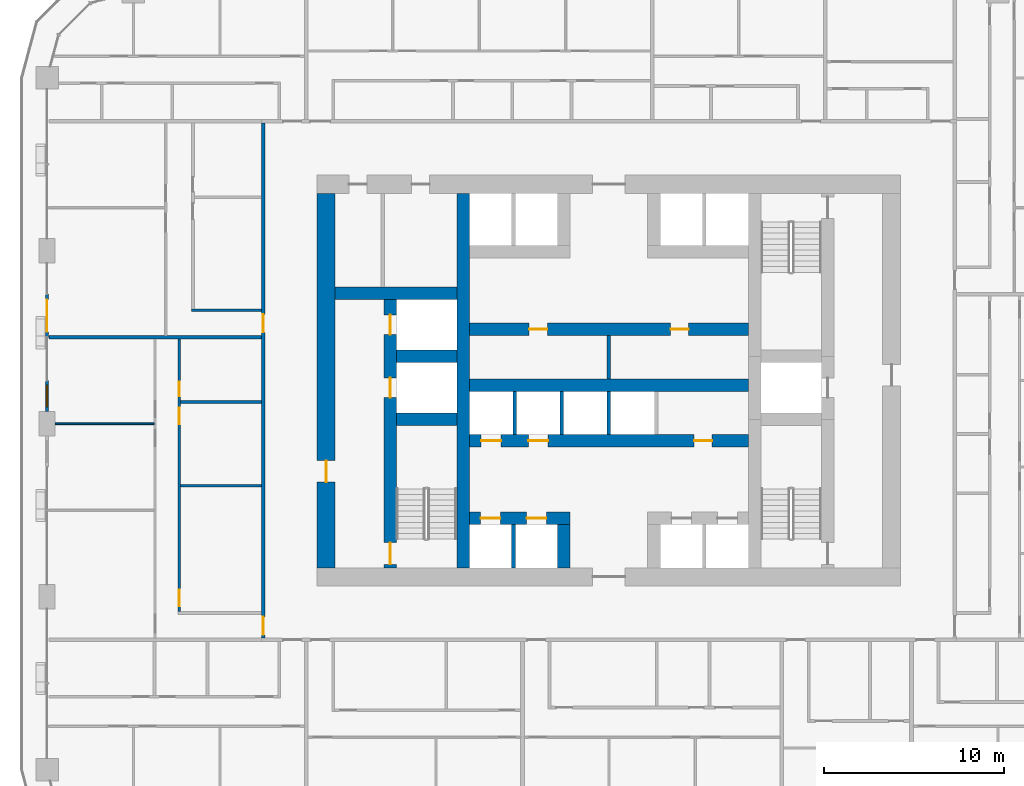
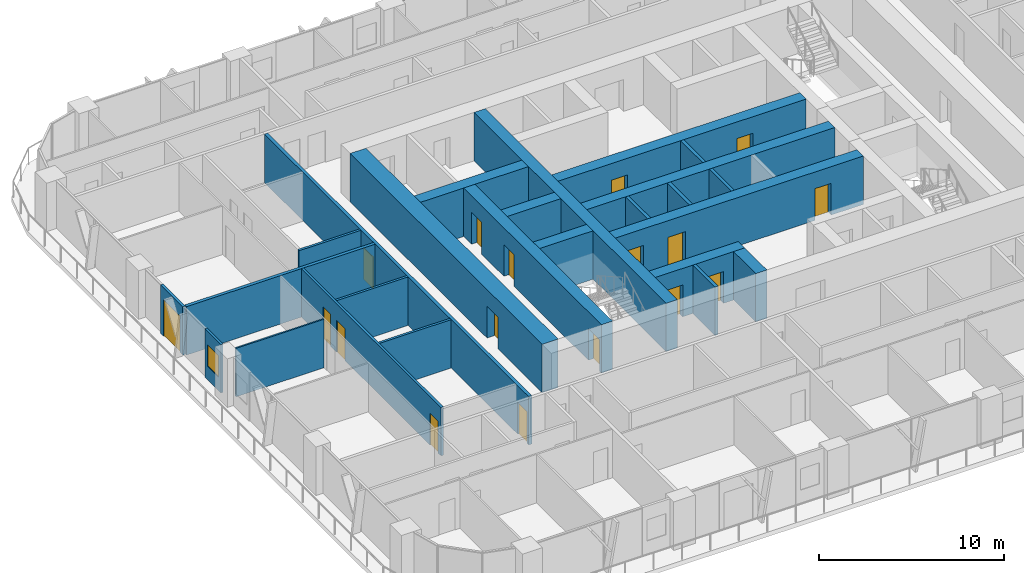
# One storey, part 10 of 21: 25 walls, 17 doors, 1 window, 18 openings.
"""IFC4 building model written with IfcOpenShell, lengths in metres."""

from ifc_helpers import new_model, si_unit, direction, frame, frame_2d, origin, place, context, subcontext, project, spatial, rectangle, extrude, material, layer, layer_set, type_object, element, fill, save


model = new_model("IFC4")

# Units and contexts
model_context = context("Model", 3, precision=1e-05, world=origin(), true_north=direction((0.0, 1.0)))
body_context = subcontext(model_context, "Body", "Model", "MODEL_VIEW")
ifc_project = project(units=[si_unit("LENGTHUNIT", "METRE"), si_unit("AREAUNIT", "SQUARE_METRE"), si_unit("VOLUMEUNIT", "CUBIC_METRE"), si_unit("PLANEANGLEUNIT", "RADIAN"), si_unit("MASSUNIT", "GRAM", prefix="KILO")], contexts=[model_context])

# Site, building, storey
site_placement = place(None, origin())
site = spatial("IfcSite", under=ifc_project, at=site_placement, CompositionType="ELEMENT")
building_placement = place(site_placement, origin())
building = spatial("IfcBuilding", under=site, at=building_placement, Name="Madar Terraces", CompositionType="ELEMENT")
storey_placement = place(building_placement, frame((0.0, 0.0, 29.39990234375)))
storey = spatial("IfcBuildingStorey", under=building, at=storey_placement, Name="L06", CompositionType="ELEMENT", Elevation=29.39990234375)

# Wall, openings, doors
ifc_material_1 = material(Name="Concrete C80/95", Category="concrete")
ifc_layer_1 = layer(ifc_material_1, 0.699951171875)
ifc_layer_set_1 = layer_set([ifc_layer_1], Name="Concrete C80/95 (CIW1 RC wall 700)")
wall_type_1 = type_object("IfcWallType", Name="CIW1 RC wall 700", PredefinedType="SHEAR", material=ifc_layer_set_1)
wall_1_placement = place(storey_placement, frame((19.050048828125, 16.0, 0.0), z_axis=(0.0, 0.0, 1.0), x_axis=(0.0, 1.0, 0.0)))
wall_1 = element("IfcWall", 1, at=wall_1_placement, inside=storey, type_object=wall_type_1, Name="CORE SHAFT WALL", PredefinedType="SHEAR", context=body_context, shape_type="SweptSolid", body=[
    extrude(rectangle(XDim=14.89990234375, YDim=0.699951171875, at=frame_2d((7.449951171875, 0.0))), origin(), (0.0, 0.0, 1.0), 3.2001953125),
])
opening_1_placement = place(wall_1_placement, frame((9.449951171875, 0.0, 0.0)))
opening_1 = element("IfcOpeningElement", 2, at=opening_1_placement, cuts=wall_1, Name="Opening LD", PredefinedType="OPENING", context=body_context, shape_type="SweptSolid", body=[
    extrude(rectangle(XDim=1.10009765625, YDim=2.10009765625, at=frame_2d((0.550048828125, 1.050048828125))), frame((0.0, 0.35986328125, 0.0), z_axis=(0.0, -1.0, 0.0), x_axis=(1.0, 0.0, 0.0)), (0.0, 0.0, 1.0), 0.719970703125),
])
opening_2_placement = place(wall_1_placement, frame((12.949951171875, 0.0, 0.0)))
opening_2 = element("IfcOpeningElement", 3, at=opening_2_placement, cuts=wall_1, Name="Opening LD", PredefinedType="OPENING", context=body_context, shape_type="SweptSolid", body=[
    extrude(rectangle(XDim=1.10009765625, YDim=2.10009765625, at=frame_2d((0.550048828125, 1.050048828125))), frame((0.0, 0.35986328125, 0.0), z_axis=(0.0, -1.0, 0.0), x_axis=(1.0, 0.0, 0.0)), (0.0, 0.0, 1.0), 0.719970703125),
])
opening_3_placement = place(wall_1_placement, frame((0.199951171875, 0.0, 0.0)))
opening_3 = element("IfcOpeningElement", 4, at=opening_3_placement, cuts=wall_1, Name="Opening SD1", PredefinedType="OPENING", context=body_context, shape_type="SweptSolid", body=[
    extrude(rectangle(XDim=1.199951171875, YDim=2.10009765625, at=frame_2d((0.60009765625, 1.050048828125))), frame((0.0, 0.35986328125, 0.0), z_axis=(0.0, -1.0, 0.0), x_axis=(1.0, 0.0, 0.0)), (0.0, 0.0, 1.0), 0.719970703125),
])
ifc_material_2 = material(Name="Stainless steel panel", Category="steel")
door_type_1 = type_object("IfcDoorType", Name="Lift landing door 1100 x 2100", OperationType="DOUBLE_DOOR_SLIDING", PredefinedType="DOOR", material=ifc_material_2)
door_1_placement = place(opening_1_placement, origin())
door_1 = element("IfcDoor", 5, at=door_1_placement, inside=storey, type_object=door_type_1, Name="LIFT LANDING DOOR", OperationType="DOUBLE_DOOR_SLIDING", OverallHeight=2.10009765625, OverallWidth=1.10009765625, PredefinedType="DOOR", context=body_context, shape_type="SweptSolid", body=[
    extrude(rectangle(XDim=1.10009765625, YDim=2.10009765625, at=frame_2d((0.550048828125, 1.050048828125))), frame((0.0, 0.02490234375, 0.0), z_axis=(0.0, -1.0, 0.0), x_axis=(1.0, 0.0, 0.0)), (0.0, 0.0, 1.0), 0.050048828125),
])
fill(opening_1, door_1)
door_2_placement = place(opening_2_placement, origin())
door_2 = element("IfcDoor", 6, at=door_2_placement, inside=storey, type_object=door_type_1, Name="LIFT LANDING DOOR", OperationType="DOUBLE_DOOR_SLIDING", OverallHeight=2.10009765625, OverallWidth=1.10009765625, PredefinedType="DOOR", context=body_context, shape_type="SweptSolid", body=[
    extrude(rectangle(XDim=1.10009765625, YDim=2.10009765625, at=frame_2d((0.550048828125, 1.050048828125))), frame((0.0, 0.02490234375, 0.0), z_axis=(0.0, -1.0, 0.0), x_axis=(1.0, 0.0, 0.0)), (0.0, 0.0, 1.0), 0.050048828125),
])
fill(opening_2, door_2)
ifc_material_3 = material(Name="Steel door leaf", Category="steel")
door_type_2 = type_object("IfcDoorType", Name="Stair door 1200 x 2100", OperationType="NOTDEFINED", PredefinedType="DOOR", material=ifc_material_3)
door_3_placement = place(opening_3_placement, frame((1.199951171875, 0.0, 0.0), z_axis=(0.0, 0.0, 1.0), x_axis=(-1.0, 0.0, 0.0)))
door_3 = element("IfcDoor", 7, at=door_3_placement, inside=storey, type_object=door_type_2, Name="STAIR DOOR", OperationType="SINGLE_SWING_RIGHT", OverallHeight=2.10009765625, OverallWidth=1.199951171875, PredefinedType="DOOR", context=body_context, shape_type="SweptSolid", body=[
    extrude(rectangle(XDim=1.199951171875, YDim=2.10009765625, at=frame_2d((0.60009765625, 1.050048828125))), frame((0.0, 0.02490234375, 0.0), z_axis=(0.0, -1.0, 0.0), x_axis=(1.0, 0.0, 0.0)), (0.0, 0.0, 1.0), 0.050048828125),
])
fill(opening_3, door_3)

# Walls
wall_2_placement = place(storey_placement, frame((23.10009765625, 16.0, 0.0), z_axis=(0.0, 0.0, 1.0), x_axis=(0.0, 1.0, 0.0)))
element("IfcWall", 8, at=wall_2_placement, inside=storey, type_object=wall_type_1, Name="CORE SHAFT WALL", PredefinedType="SHEAR", context=body_context, shape_type="SweptSolid", body=[
    extrude(rectangle(XDim=20.800048828125, YDim=0.699951171875, at=frame_2d((10.39990234375, 0.0))), origin(), (0.0, 0.0, 1.0), 3.2001953125),
])
for number, where, z_axis, x_axis, name in (
    (9, (19.39990234375, 24.25, 0.0), (0.0, 0.0, 1.0), (1.0, 0.0, 0.0), "CORE SHAFT WALL"),
    (10, (19.39990234375, 27.75, 0.0), (0.0, 0.0, 1.0), (1.0, 0.0, 0.0), "CORE SHAFT WALL"),
):
    element("IfcWall", number, at=place(storey_placement, frame(where, z_axis=z_axis, x_axis=x_axis)), inside=storey, type_object=wall_type_1, Name=name, PredefinedType="SHEAR", context=body_context, shape_type="SweptSolid", body=[
        extrude(rectangle(XDim=3.35009765625, YDim=0.699951171875, at=frame_2d((1.675048828125, 0.0))), origin(), (0.0, 0.0, 1.0), 3.2001953125),
    ])
wall_3_placement = place(storey_placement, frame((16.0, 31.25, 0.0), z_axis=(0.0, 0.0, 1.0), x_axis=(1.0, 0.0, 0.0)))
element("IfcWall", 11, at=wall_3_placement, inside=storey, type_object=wall_type_1, Name="CORE SHAFT WALL", PredefinedType="SHEAR", context=body_context, shape_type="SweptSolid", body=[
    extrude(rectangle(XDim=6.75, YDim=0.699951171875, at=frame_2d((3.375, 0.0))), origin(), (0.0, 0.0, 1.0), 3.2001953125),
])

# Wall, openings, doors
wall_4_placement = place(storey_placement, frame((23.449951171875, 18.75, 0.0), z_axis=(0.0, 0.0, 1.0), x_axis=(1.0, 0.0, 0.0)))
wall_4 = element("IfcWall", 12, at=wall_4_placement, inside=storey, type_object=wall_type_1, Name="CORE SHAFT WALL", PredefinedType="SHEAR", context=body_context, shape_type="SweptSolid", body=[
    extrude(rectangle(XDim=5.60009765625, YDim=0.699951171875, at=frame_2d((2.800048828125, 0.0))), origin(), (0.0, 0.0, 1.0), 3.2001953125),
])
opening_4_placement = place(wall_4_placement, frame((0.625, 0.0, 0.0)))
opening_4 = element("IfcOpeningElement", 13, at=opening_4_placement, cuts=wall_4, Name="Opening LD", PredefinedType="OPENING", context=body_context, shape_type="SweptSolid", body=[
    extrude(rectangle(XDim=1.10009765625, YDim=2.10009765625, at=frame_2d((0.550048828125, 1.050048828125))), frame((0.0, 0.35986328125, 0.0), z_axis=(0.0, -1.0, 0.0), x_axis=(1.0, 0.0, 0.0)), (0.0, 0.0, 1.0), 0.719970703125),
])
opening_5_placement = place(wall_4_placement, frame((3.175048828125, 0.0, 0.0)))
opening_5 = element("IfcOpeningElement", 14, at=opening_5_placement, cuts=wall_4, Name="Opening LD", PredefinedType="OPENING", context=body_context, shape_type="SweptSolid", body=[
    extrude(rectangle(XDim=1.10009765625, YDim=2.10009765625, at=frame_2d((0.550048828125, 1.050048828125))), frame((0.0, 0.35986328125, 0.0), z_axis=(0.0, -1.0, 0.0), x_axis=(1.0, 0.0, 0.0)), (0.0, 0.0, 1.0), 0.719970703125),
])
door_4_placement = place(opening_4_placement, origin())
door_4 = element("IfcDoor", 15, at=door_4_placement, inside=storey, type_object=door_type_1, Name="LIFT LANDING DOOR", OperationType="DOUBLE_DOOR_SLIDING", OverallHeight=2.10009765625, OverallWidth=1.10009765625, PredefinedType="DOOR", context=body_context, shape_type="SweptSolid", body=[
    extrude(rectangle(XDim=1.10009765625, YDim=2.10009765625, at=frame_2d((0.550048828125, 1.050048828125))), frame((0.0, 0.02490234375, 0.0), z_axis=(0.0, -1.0, 0.0), x_axis=(1.0, 0.0, 0.0)), (0.0, 0.0, 1.0), 0.050048828125),
])
fill(opening_4, door_4)
door_5_placement = place(opening_5_placement, origin())
door_5 = element("IfcDoor", 16, at=door_5_placement, inside=storey, type_object=door_type_1, Name="LIFT LANDING DOOR", OperationType="DOUBLE_DOOR_SLIDING", OverallHeight=2.10009765625, OverallWidth=1.10009765625, PredefinedType="DOOR", context=body_context, shape_type="SweptSolid", body=[
    extrude(rectangle(XDim=1.10009765625, YDim=2.10009765625, at=frame_2d((0.550048828125, 1.050048828125))), frame((0.0, 0.02490234375, 0.0), z_axis=(0.0, -1.0, 0.0), x_axis=(1.0, 0.0, 0.0)), (0.0, 0.0, 1.0), 0.050048828125),
])
fill(opening_5, door_5)

wall_5_placement = place(storey_placement, frame((23.449951171875, 23.050048828125, 0.0), z_axis=(0.0, 0.0, 1.0), x_axis=(1.0, 0.0, 0.0)))
wall_5 = element("IfcWall", 17, at=wall_5_placement, inside=storey, type_object=wall_type_1, Name="CORE SHAFT WALL", PredefinedType="SHEAR", context=body_context, shape_type="SweptSolid", body=[
    extrude(rectangle(XDim=15.5, YDim=0.699951171875, at=frame_2d((7.75, 0.0))), origin(), (0.0, 0.0, 1.0), 3.2001953125),
])
opening_6_placement = place(wall_5_placement, frame((0.658447265625, 0.0, 0.0)))
opening_6 = element("IfcOpeningElement", 18, at=opening_6_placement, cuts=wall_5, Name="Opening LD", PredefinedType="OPENING", context=body_context, shape_type="SweptSolid", body=[
    extrude(rectangle(XDim=1.10009765625, YDim=2.10009765625, at=frame_2d((0.550048828125, 1.050048828125))), frame((0.0, 0.35986328125, 0.0), z_axis=(0.0, -1.0, 0.0), x_axis=(1.0, 0.0, 0.0)), (0.0, 0.0, 1.0), 0.719970703125),
])
opening_7_placement = place(wall_5_placement, frame((3.27490234375, 0.0, 0.0)))
opening_7 = element("IfcOpeningElement", 19, at=opening_7_placement, cuts=wall_5, Name="Opening LD", PredefinedType="OPENING", context=body_context, shape_type="SweptSolid", body=[
    extrude(rectangle(XDim=1.10009765625, YDim=2.10009765625, at=frame_2d((0.550048828125, 1.050048828125))), frame((0.0, 0.35986328125, 0.0), z_axis=(0.0, -1.0, 0.0), x_axis=(1.0, 0.0, 0.0)), (0.0, 0.0, 1.0), 0.719970703125),
])
opening_8_placement = place(wall_5_placement, frame((12.4833984375, 0.0, 0.0)))
opening_8 = element("IfcOpeningElement", 20, at=opening_8_placement, cuts=wall_5, Name="Opening KD2", PredefinedType="OPENING", context=body_context, shape_type="SweptSolid", body=[
    extrude(rectangle(XDim=1.0, YDim=2.10009765625, at=frame_2d((0.5, 1.050048828125))), frame((0.0, 0.35986328125, 0.0), z_axis=(0.0, -1.0, 0.0), x_axis=(1.0, 0.0, 0.0)), (0.0, 0.0, 1.0), 0.719970703125),
])
door_6_placement = place(opening_6_placement, origin())
door_6 = element("IfcDoor", 21, at=door_6_placement, inside=storey, type_object=door_type_1, Name="LIFT LANDING DOOR", OperationType="DOUBLE_DOOR_SLIDING", OverallHeight=2.10009765625, OverallWidth=1.10009765625, PredefinedType="DOOR", context=body_context, shape_type="SweptSolid", body=[
    extrude(rectangle(XDim=1.10009765625, YDim=2.10009765625, at=frame_2d((0.550048828125, 1.050048828125))), frame((0.0, 0.02490234375, 0.0), z_axis=(0.0, -1.0, 0.0), x_axis=(1.0, 0.0, 0.0)), (0.0, 0.0, 1.0), 0.050048828125),
])
fill(opening_6, door_6)
door_7_placement = place(opening_7_placement, origin())
door_7 = element("IfcDoor", 22, at=door_7_placement, inside=storey, type_object=door_type_1, Name="LIFT LANDING DOOR", OperationType="DOUBLE_DOOR_SLIDING", OverallHeight=2.10009765625, OverallWidth=1.10009765625, PredefinedType="DOOR", context=body_context, shape_type="SweptSolid", body=[
    extrude(rectangle(XDim=1.10009765625, YDim=2.10009765625, at=frame_2d((0.550048828125, 1.050048828125))), frame((0.0, 0.02490234375, 0.0), z_axis=(0.0, -1.0, 0.0), x_axis=(1.0, 0.0, 0.0)), (0.0, 0.0, 1.0), 0.050048828125),
])
fill(opening_7, door_7)
ifc_material_4 = material(Name="Steel door leaf", Category="steel")
door_type_3 = type_object("IfcDoorType", Name="Service room door 1000 x 2100", OperationType="NOTDEFINED", PredefinedType="DOOR", material=ifc_material_4)
door_8_placement = place(opening_8_placement, frame((1.0, 0.0, 0.0), z_axis=(0.0, 0.0, 1.0), x_axis=(-1.0, 0.0, 0.0)))
door_8 = element("IfcDoor", 23, at=door_8_placement, inside=storey, type_object=door_type_3, Name="SERVICE ROOM DOOR", OperationType="SINGLE_SWING_LEFT", OverallHeight=2.10009765625, OverallWidth=1.0, PredefinedType="DOOR", context=body_context, shape_type="SweptSolid", body=[
    extrude(rectangle(XDim=1.0, YDim=2.10009765625, at=frame_2d((0.5, 1.050048828125))), frame((0.0, 0.02490234375, 0.0), z_axis=(0.0, -1.0, 0.0), x_axis=(1.0, 0.0, 0.0)), (0.0, 0.0, 1.0), 0.050048828125),
])
fill(opening_8, door_8)

# Wall
wall_6_placement = place(storey_placement, frame((23.449951171875, 26.14990234375, 0.0), z_axis=(0.0, 0.0, 1.0), x_axis=(1.0, 0.0, 0.0)))
element("IfcWall", 24, at=wall_6_placement, inside=storey, type_object=wall_type_1, Name="CORE SHAFT WALL", PredefinedType="SHEAR", context=body_context, shape_type="SweptSolid", body=[
    extrude(rectangle(XDim=15.5, YDim=0.699951171875, at=frame_2d((7.75, 0.0))), origin(), (0.0, 0.0, 1.0), 3.2001953125),
])

# Wall, openings, doors
wall_7_placement = place(storey_placement, frame((23.449951171875, 29.25, 0.0), z_axis=(0.0, 0.0, 1.0), x_axis=(1.0, 0.0, 0.0)))
wall_7 = element("IfcWall", 25, at=wall_7_placement, inside=storey, type_object=wall_type_1, Name="CORE SHAFT WALL", PredefinedType="SHEAR", context=body_context, shape_type="SweptSolid", body=[
    extrude(rectangle(XDim=15.5, YDim=0.699951171875, at=frame_2d((7.75, 0.0))), origin(), (0.0, 0.0, 1.0), 3.2001953125),
])
opening_9_placement = place(wall_7_placement, frame((3.324951171875, 0.0, 0.0)))
opening_9 = element("IfcOpeningElement", 26, at=opening_9_placement, cuts=wall_7, Name="Opening KD2", PredefinedType="OPENING", context=body_context, shape_type="SweptSolid", body=[
    extrude(rectangle(XDim=1.0, YDim=2.10009765625, at=frame_2d((0.5, 1.050048828125))), frame((0.0, 0.35986328125, 0.0), z_axis=(0.0, -1.0, 0.0), x_axis=(1.0, 0.0, 0.0)), (0.0, 0.0, 1.0), 0.719970703125),
])
opening_10_placement = place(wall_7_placement, frame((11.175048828125, 0.0, 0.0)))
opening_10 = element("IfcOpeningElement", 27, at=opening_10_placement, cuts=wall_7, Name="Opening KD2", PredefinedType="OPENING", context=body_context, shape_type="SweptSolid", body=[
    extrude(rectangle(XDim=1.0, YDim=2.10009765625, at=frame_2d((0.5, 1.050048828125))), frame((0.0, 0.35986328125, 0.0), z_axis=(0.0, -1.0, 0.0), x_axis=(1.0, 0.0, 0.0)), (0.0, 0.0, 1.0), 0.719970703125),
])
door_9_placement = place(opening_9_placement, origin())
door_9 = element("IfcDoor", 28, at=door_9_placement, inside=storey, type_object=door_type_3, Name="SERVICE ROOM DOOR", OperationType="SINGLE_SWING_RIGHT", OverallHeight=2.10009765625, OverallWidth=1.0, PredefinedType="DOOR", context=body_context, shape_type="SweptSolid", body=[
    extrude(rectangle(XDim=1.0, YDim=2.10009765625, at=frame_2d((0.5, 1.050048828125))), frame((0.0, 0.02490234375, 0.0), z_axis=(0.0, -1.0, 0.0), x_axis=(1.0, 0.0, 0.0)), (0.0, 0.0, 1.0), 0.050048828125),
])
fill(opening_9, door_9)
door_10_placement = place(opening_10_placement, origin())
door_10 = element("IfcDoor", 29, at=door_10_placement, inside=storey, type_object=door_type_3, Name="SERVICE ROOM DOOR", OperationType="SINGLE_SWING_LEFT", OverallHeight=2.10009765625, OverallWidth=1.0, PredefinedType="DOOR", context=body_context, shape_type="SweptSolid", body=[
    extrude(rectangle(XDim=1.0, YDim=2.10009765625, at=frame_2d((0.5, 1.050048828125))), frame((0.0, 0.02490234375, 0.0), z_axis=(0.0, -1.0, 0.0), x_axis=(1.0, 0.0, 0.0)), (0.0, 0.0, 1.0), 0.050048828125),
])
fill(opening_10, door_10)

# Wall
wall_8_placement = place(storey_placement, frame((28.699951171875, 16.0, 0.0), z_axis=(0.0, 0.0, 1.0), x_axis=(0.0, 1.0, 0.0)))
element("IfcWall", 30, at=wall_8_placement, inside=storey, type_object=wall_type_1, Name="CORE SHAFT WALL", PredefinedType="SHEAR", context=body_context, shape_type="SweptSolid", body=[
    extrude(rectangle(XDim=2.39990234375, YDim=0.699951171875, at=frame_2d((1.199951171875, 0.0))), origin(), (0.0, 0.0, 1.0), 3.2001953125),
])

# Wall, opening, door
ifc_material_5 = material(Name="Concrete C80/95", Category="concrete")
ifc_layer_2 = layer(ifc_material_5, 1.0)
ifc_layer_set_2 = layer_set([ifc_layer_2], Name="Concrete C80/95 (CRW1 RC wall 1000)")
wall_type_2 = type_object("IfcWallType", Name="CRW1 RC wall 1000", PredefinedType="SHEAR", material=ifc_layer_set_2)
wall_9_placement = place(storey_placement, frame((15.5, 16.0, 0.0), z_axis=(0.0, 0.0, 1.0), x_axis=(0.0, 1.0, 0.0)))
wall_9 = element("IfcWall", 31, at=wall_9_placement, inside=storey, type_object=wall_type_2, Name="CORE OUTER WALL", PredefinedType="SHEAR", context=body_context, shape_type="SweptSolid", body=[
    extrude(rectangle(XDim=20.800048828125, YDim=1.0, at=frame_2d((10.39990234375, 0.0))), origin(), (0.0, 0.0, 1.0), 3.2001953125),
])
opening_11_placement = place(wall_9_placement, frame((4.760009765625, 0.0, 0.0)))
opening_11 = element("IfcOpeningElement", 32, at=opening_11_placement, cuts=wall_9, Name="Opening SD1", PredefinedType="OPENING", context=body_context, shape_type="SweptSolid", body=[
    extrude(rectangle(XDim=1.199951171875, YDim=2.10009765625, at=frame_2d((0.60009765625, 1.050048828125))), frame((0.0, 0.510009765625, 0.0), z_axis=(0.0, -1.0, 0.0), x_axis=(1.0, 0.0, 0.0)), (0.0, 0.0, 1.0), 1.02001953125),
])
door_11_placement = place(opening_11_placement, frame((1.199951171875, 0.0, 0.0), z_axis=(0.0, 0.0, 1.0), x_axis=(-1.0, 0.0, 0.0)))
door_11 = element("IfcDoor", 33, at=door_11_placement, inside=storey, type_object=door_type_2, Name="STAIR DOOR", OperationType="SINGLE_SWING_LEFT", OverallHeight=2.10009765625, OverallWidth=1.199951171875, PredefinedType="DOOR", context=body_context, shape_type="SweptSolid", body=[
    extrude(rectangle(XDim=1.199951171875, YDim=2.10009765625, at=frame_2d((0.60009765625, 1.050048828125))), frame((0.0, 0.02490234375, 0.0), z_axis=(0.0, -1.0, 0.0), x_axis=(1.0, 0.0, 0.0)), (0.0, 0.0, 1.0), 0.050048828125),
])
fill(opening_11, door_11)

# Walls
ifc_material_6 = material(Name="Masonry blockwork", Category="masonry")
ifc_layer_3 = layer(ifc_material_6, 0.199951171875)
ifc_layer_set_3 = layer_set([ifc_layer_3], Name="Core partition 200 blockwork")
wall_type_3 = type_object("IfcWallType", Name="Core partition 200 blockwork", PredefinedType="PARTITIONING", material=ifc_layer_set_3)
wall_10_placement = place(storey_placement, frame((31.199951171875, 26.5, 0.0), z_axis=(0.0, 0.0, 1.0), x_axis=(0.0, 1.0, 0.0)))
element("IfcWall", 34, at=wall_10_placement, inside=storey, type_object=wall_type_3, Name="SERVICE ROOM PARTITION", PredefinedType="PARTITIONING", context=body_context, shape_type="SweptSolid", body=[
    extrude(rectangle(XDim=2.39990234375, YDim=0.199951171875, at=frame_2d((1.199951171875, 0.0))), origin(), (0.0, 0.0, 1.0), 3.2001953125),
])
ifc_material_7 = material(Name="Concrete C40/50", Category="concrete")
ifc_layer_4 = layer(ifc_material_7, 0.199951171875)
ifc_layer_set_4 = layer_set([ifc_layer_4], Name="Core shaft dividing wall 200 C40/50")
wall_type_4 = type_object("IfcWallType", Name="Core shaft dividing wall 200 C40/50", PredefinedType="SOLIDWALL", material=ifc_layer_set_4)
for number, where, z_axis, x_axis, name in (
    (35, (25.966552734375, 23.39990234375, 0.0), (0.0, 0.0, 1.0), (0.0, 1.0, 0.0), "SHAFT DIVIDING WALL"),
    (36, (28.583251953125, 23.39990234375, 0.0), (0.0, 0.0, 1.0), (0.0, 1.0, 0.0), "SHAFT DIVIDING WALL"),
    (37, (31.199951171875, 23.39990234375, 0.0), (0.0, 0.0, 1.0), (0.0, 1.0, 0.0), "SHAFT DIVIDING WALL"),
):
    element("IfcWall", number, at=place(storey_placement, frame(where, z_axis=z_axis, x_axis=x_axis)), inside=storey, type_object=wall_type_4, Name=name, PredefinedType="SOLIDWALL", context=body_context, shape_type="SweptSolid", body=[
        extrude(rectangle(XDim=2.400146484375, YDim=0.199951171875, at=frame_2d((1.2001953125, 0.0))), origin(), (0.0, 0.0, 1.0), 3.2001953125),
    ])
wall_11_placement = place(storey_placement, frame((25.89990234375, 16.0, 0.0), z_axis=(0.0, 0.0, 1.0), x_axis=(0.0, 1.0, 0.0)))
element("IfcWall", 38, at=wall_11_placement, inside=storey, type_object=wall_type_4, Name="SHAFT DIVIDING WALL", PredefinedType="SOLIDWALL", context=body_context, shape_type="SweptSolid", body=[
    extrude(rectangle(XDim=2.39990234375, YDim=0.199951171875, at=frame_2d((1.199951171875, 0.0))), origin(), (0.0, 0.0, 1.0), 3.2001953125),
])

# Wall, opening, door
ifc_material_8 = material(Name="Aluminium composite panel, black, over insulated backing", Category="aluminium")
ifc_layer_5 = layer(ifc_material_8, 0.14990234375)
ifc_layer_set_5 = layer_set([ifc_layer_5], Name="Facade bay panel 150")
wall_type_5 = type_object("IfcWallType", Name="Facade bay panel 150", PredefinedType="SOLIDWALL", material=ifc_layer_set_5)
wall_12_placement = place(storey_placement, frame((0.0, 31.199951171875, 0.0), z_axis=(0.0, 0.0, 1.0), x_axis=(0.0, -1.0, 0.0)))
wall_12 = element("IfcWall", 39, at=wall_12_placement, inside=storey, type_object=wall_type_5, Name="Facade bay panel", PredefinedType="SOLIDWALL", context=body_context, shape_type="SweptSolid", body=[
    extrude(rectangle(XDim=2.39990234375, YDim=0.14990234375, at=frame_2d((1.199951171875, 0.0))), origin(), (0.0, 0.0, 1.0), 3.2001953125),
])
opening_12_placement = place(wall_12_placement, frame((0.300048828125, 0.0, 0.0)))
opening_12 = element("IfcOpeningElement", 40, at=opening_12_placement, cuts=wall_12, Name="Opening ED1", PredefinedType="OPENING", context=body_context, shape_type="SweptSolid", body=[
    extrude(rectangle(XDim=1.800048828125, YDim=2.39990234375, at=frame_2d((0.89990234375, 1.199951171875))), frame((0.0, 0.0849609375, 0.0), z_axis=(0.0, -1.0, 0.0), x_axis=(1.0, 0.0, 0.0)), (0.0, 0.0, 1.0), 0.169921875),
])
ifc_material_9 = material(Name="Glass, clear, with black aluminium frame", Category="aluminium")
door_type_4 = type_object("IfcDoorType", Name="Balcony and terrace sliding door 1800 x 2400", OperationType="SLIDING_TO_LEFT", PredefinedType="DOOR", material=ifc_material_9)
door_12_placement = place(opening_12_placement, origin())
door_12 = element("IfcDoor", 41, at=door_12_placement, inside=storey, type_object=door_type_4, Name="Balcony door", OperationType="SLIDING_TO_RIGHT", OverallHeight=2.39990234375, OverallWidth=1.800048828125, PredefinedType="DOOR", context=body_context, shape_type="SweptSolid", body=[
    extrude(rectangle(XDim=1.800048828125, YDim=2.39990234375, at=frame_2d((0.89990234375, 1.199951171875))), frame((0.0, 0.02490234375, 0.0), z_axis=(0.0, -1.0, 0.0), x_axis=(1.0, 0.0, 0.0)), (0.0, 0.0, 1.0), 0.050048828125),
])
fill(opening_12, door_12)

# Wall, opening, window
wall_13_placement = place(storey_placement, frame((0.0, 26.39990234375, 0.0), z_axis=(0.0, 0.0, 1.0), x_axis=(0.0, -1.0, 0.0)))
wall_13 = element("IfcWall", 42, at=wall_13_placement, inside=storey, type_object=wall_type_5, Name="Facade bay panel", PredefinedType="SOLIDWALL", context=body_context, shape_type="SweptSolid", body=[
    extrude(rectangle(XDim=1.724853515625, YDim=0.14990234375, at=frame_2d((0.8623046875, 0.0))), origin(), (0.0, 0.0, 1.0), 3.2001953125),
])
opening_13_placement = place(wall_13_placement, frame((0.262451171875, 0.0, 0.89990234375)))
opening_13 = element("IfcOpeningElement", 43, at=opening_13_placement, cuts=wall_13, Name="Opening W1", PredefinedType="OPENING", context=body_context, shape_type="SweptSolid", body=[
    extrude(rectangle(XDim=1.199951171875, YDim=1.39990234375, at=frame_2d((0.60009765625, 0.699951171875))), frame((0.0, 0.0849609375, 0.0), z_axis=(0.0, -1.0, 0.0), x_axis=(1.0, 0.0, 0.0)), (0.0, 0.0, 1.0), 0.169921875),
])
ifc_material_10 = material(Name="Glass, clear, with black aluminium frame", Category="aluminium")
window_type = type_object("IfcWindowType", Name="Vent window 1200 x 1400", PartitioningType="SINGLE_PANEL", PredefinedType="WINDOW", material=ifc_material_10)
window_placement = place(opening_13_placement, origin())
window = element("IfcWindow", 44, at=window_placement, inside=storey, type_object=window_type, Name="Operable vent window", OverallHeight=1.39990234375, OverallWidth=1.199951171875, PartitioningType="SINGLE_PANEL", PredefinedType="WINDOW", context=body_context, shape_type="SweptSolid", body=[
    extrude(rectangle(XDim=1.199951171875, YDim=1.39990234375, at=frame_2d((0.60009765625, 0.699951171875))), frame((0.0, 0.030029296875, 0.0), z_axis=(0.0, -1.0, 0.0), x_axis=(1.0, 0.0, 0.0)), (0.0, 0.0, 1.0), 0.06005859375),
])
fill(opening_13, window)

# Wall
ifc_material_11 = material(Name="Gypsum board on steel studs", Category="steel")
ifc_layer_6 = layer(ifc_material_11, 0.10009765625)
ifc_layer_set_6 = layer_set([ifc_layer_6], Name="Flat partition 100")
wall_type_6 = type_object("IfcWallType", Name="Flat partition 100", PredefinedType="PARTITIONING", material=ifc_layer_set_6)
wall_14_placement = place(storey_placement, frame((5.949951171875, 24.0, 0.0), z_axis=(0.0, 0.0, 1.0), x_axis=(-1.0, 0.0, 0.0)))
element("IfcWall", 45, at=wall_14_placement, inside=storey, type_object=wall_type_6, Name="Flat partition 100", PredefinedType="PARTITIONING", context=body_context, shape_type="SweptSolid", body=[
    extrude(rectangle(XDim=5.5, YDim=0.10009765625, at=frame_2d((2.75, 0.0))), origin(), (0.0, 0.0, 1.0), 3.2001953125),
])

# Wall, openings, doors
ifc_material_12 = material(Name="Lightweight blockwork", Category="masonry")
ifc_layer_7 = layer(ifc_material_12, 0.199951171875)
ifc_layer_set_7 = layer_set([ifc_layer_7], Name="Flat party and entrance wall 200")
wall_type_7 = type_object("IfcWallType", Name="Flat party and entrance wall 200", PredefinedType="PARTITIONING", material=ifc_layer_set_7)
wall_15_placement = place(storey_placement, frame((12.0, 12.10009765625, 0.0), z_axis=(0.0, 0.0, 1.0), x_axis=(0.0, 1.0, 0.0)))
wall_15 = element("IfcWall", 46, at=wall_15_placement, inside=storey, type_object=wall_type_7, Name="Flat party and entrance wall 200", PredefinedType="PARTITIONING", context=body_context, shape_type="SweptSolid", body=[
    extrude(rectangle(XDim=28.599853515625, YDim=0.199951171875, at=frame_2d((14.2998046875, 0.0))), origin(), (0.0, 0.0, 1.0), 3.2001953125),
])
opening_14_placement = place(wall_15_placement, frame((16.97509765625, 0.0, 0.0)))
opening_14 = element("IfcOpeningElement", 47, at=opening_14_placement, cuts=wall_15, Name="Opening D1", PredefinedType="OPENING", context=body_context, shape_type="SweptSolid", body=[
    extrude(rectangle(XDim=1.0, YDim=2.10009765625, at=frame_2d((0.5, 1.050048828125))), frame((0.0, 0.10986328125, 0.0), z_axis=(0.0, -1.0, 0.0), x_axis=(1.0, 0.0, 0.0)), (0.0, 0.0, 1.0), 0.219970703125),
])
opening_15_placement = place(wall_15_placement, frame((0.175048828125, 0.0, 0.0)))
opening_15 = element("IfcOpeningElement", 48, at=opening_15_placement, cuts=wall_15, Name="Opening D1", PredefinedType="OPENING", context=body_context, shape_type="SweptSolid", body=[
    extrude(rectangle(XDim=1.0, YDim=2.10009765625, at=frame_2d((0.5, 1.050048828125))), frame((0.0, 0.10986328125, 0.0), z_axis=(0.0, -1.0, 0.0), x_axis=(1.0, 0.0, 0.0)), (0.0, 0.0, 1.0), 0.219970703125),
])
ifc_material_13 = material(Name="Timber fire door leaf", Category="wood")
door_type_5 = type_object("IfcDoorType", Name="Flat entrance door 1000 FD30S", OperationType="NOTDEFINED", PredefinedType="DOOR", material=ifc_material_13)
door_13_placement = place(opening_14_placement, origin())
door_13 = element("IfcDoor", 49, at=door_13_placement, inside=storey, type_object=door_type_5, Name="Flat entrance door 1000 FD30S", OperationType="SINGLE_SWING_LEFT", OverallHeight=2.10009765625, OverallWidth=1.0, PredefinedType="DOOR", context=body_context, shape_type="SweptSolid", body=[
    extrude(rectangle(XDim=1.0, YDim=2.10009765625, at=frame_2d((0.5, 1.050048828125))), frame((0.0, 0.02490234375, 0.0), z_axis=(0.0, -1.0, 0.0), x_axis=(1.0, 0.0, 0.0)), (0.0, 0.0, 1.0), 0.050048828125),
])
fill(opening_14, door_13)
door_14_placement = place(opening_15_placement, origin())
door_14 = element("IfcDoor", 50, at=door_14_placement, inside=storey, type_object=door_type_5, Name="Flat entrance door 1000 FD30S", OperationType="SINGLE_SWING_LEFT", OverallHeight=2.10009765625, OverallWidth=1.0, PredefinedType="DOOR", context=body_context, shape_type="SweptSolid", body=[
    extrude(rectangle(XDim=1.0, YDim=2.10009765625, at=frame_2d((0.5, 1.050048828125))), frame((0.0, 0.02490234375, 0.0), z_axis=(0.0, -1.0, 0.0), x_axis=(1.0, 0.0, 0.0)), (0.0, 0.0, 1.0), 0.050048828125),
])
fill(opening_15, door_14)

# Walls
wall_16_placement = place(storey_placement, frame((0.10009765625, 28.800048828125, 0.0), z_axis=(0.0, 0.0, 1.0), x_axis=(1.0, 0.0, 0.0)))
element("IfcWall", 51, at=wall_16_placement, inside=storey, type_object=wall_type_7, Name="Flat party and entrance wall 200", PredefinedType="PARTITIONING", context=body_context, shape_type="SweptSolid", body=[
    extrude(rectangle(XDim=11.7998046875, YDim=0.199951171875, at=frame_2d((5.89990234375, 0.0))), origin(), (0.0, 0.0, 1.0), 3.2001953125),
])
ifc_material_14 = material(Name="Lightweight blockwork", Category="masonry")
ifc_layer_8 = layer(ifc_material_14, 0.14990234375)
ifc_layer_set_8 = layer_set([ifc_layer_8], Name="Flat wet-room partition 150")
wall_type_8 = type_object("IfcWallType", Name="Flat wet-room partition 150", PredefinedType="PARTITIONING", material=ifc_layer_set_8)
wall_17_placement = place(storey_placement, frame((11.89990234375, 30.300048828125, 0.0), z_axis=(0.0, 0.0, 1.0), x_axis=(-1.0, 0.0, 0.0)))
element("IfcWall", 52, at=wall_17_placement, inside=storey, type_object=wall_type_8, Name="Flat wet-room partition 150", PredefinedType="PARTITIONING", context=body_context, shape_type="SweptSolid", body=[
    extrude(rectangle(XDim=3.875, YDim=0.14990234375, at=frame_2d((1.9375, 0.0))), origin(), (0.0, 0.0, 1.0), 3.2001953125),
])
for number, where, z_axis, x_axis, name in (
    (53, (11.89990234375, 20.555908203125, 0.0), (0.0, 0.0, 1.0), (-1.0, 0.0, 0.0), "Flat wet-room partition 150"),
    (54, (11.89990234375, 25.209716796875, 0.0), (0.0, 0.0, 1.0), (-1.0, 0.0, 0.0), "Flat wet-room partition 150"),
):
    element("IfcWall", number, at=place(storey_placement, frame(where, z_axis=z_axis, x_axis=x_axis)), inside=storey, type_object=wall_type_8, Name=name, PredefinedType="PARTITIONING", context=body_context, shape_type="SweptSolid", body=[
        extrude(rectangle(XDim=4.474853515625, YDim=0.14990234375, at=frame_2d((2.2373046875, 0.0))), origin(), (0.0, 0.0, 1.0), 3.2001953125),
    ])

# Wall, openings, doors
wall_18_placement = place(storey_placement, frame((7.35009765625, 28.699951171875, 0.0), z_axis=(0.0, 0.0, 1.0), x_axis=(0.0, -1.0, 0.0)))
wall_18 = element("IfcWall", 55, at=wall_18_placement, inside=storey, type_object=wall_type_8, Name="Flat wet-room partition 150", PredefinedType="PARTITIONING", context=body_context, shape_type="SweptSolid", body=[
    extrude(rectangle(XDim=15.125, YDim=0.14990234375, at=frame_2d((7.5625, 0.0))), origin(), (0.0, 0.0, 1.0), 3.2001953125),
])
opening_16_placement = place(wall_18_placement, frame((13.925048828125, 0.0, 0.0)))
opening_16 = element("IfcOpeningElement", 56, at=opening_16_placement, cuts=wall_18, Name="Opening D2", PredefinedType="OPENING", context=body_context, shape_type="SweptSolid", body=[
    extrude(rectangle(XDim=0.89990234375, YDim=2.10009765625, at=frame_2d((0.449951171875, 1.050048828125))), frame((0.0, 0.0849609375, 0.0), z_axis=(0.0, -1.0, 0.0), x_axis=(1.0, 0.0, 0.0)), (0.0, 0.0, 1.0), 0.169921875),
])
opening_17_placement = place(wall_18_placement, frame((3.8154296875, 0.0, 0.0)))
opening_17 = element("IfcOpeningElement", 57, at=opening_17_placement, cuts=wall_18, Name="Opening D5", PredefinedType="OPENING", context=body_context, shape_type="SweptSolid", body=[
    extrude(rectangle(XDim=0.89990234375, YDim=2.10009765625, at=frame_2d((0.449951171875, 1.050048828125))), frame((0.0, 0.0849609375, 0.0), z_axis=(0.0, -1.0, 0.0), x_axis=(1.0, 0.0, 0.0)), (0.0, 0.0, 1.0), 0.169921875),
])
opening_18_placement = place(wall_18_placement, frame((2.365478515625, 0.0, 0.0)))
opening_18 = element("IfcOpeningElement", 58, at=opening_18_placement, cuts=wall_18, Name="Opening D4", PredefinedType="OPENING", context=body_context, shape_type="SweptSolid", body=[
    extrude(rectangle(XDim=0.800048828125, YDim=2.10009765625, at=frame_2d((0.39990234375, 1.050048828125))), frame((0.0, 0.0849609375, 0.0), z_axis=(0.0, -1.0, 0.0), x_axis=(1.0, 0.0, 0.0)), (0.0, 0.0, 1.0), 0.169921875),
])
ifc_material_15 = material(Name="Timber door leaf", Category="wood")
door_type_6 = type_object("IfcDoorType", Name="Flat accessible bathroom door 900", OperationType="NOTDEFINED", PredefinedType="DOOR", material=ifc_material_15)
door_15_placement = place(opening_17_placement, origin())
door_15 = element("IfcDoor", 59, at=door_15_placement, inside=storey, type_object=door_type_6, Name="Flat accessible bathroom door 900", OperationType="SINGLE_SWING_LEFT", OverallHeight=2.10009765625, OverallWidth=0.89990234375, PredefinedType="DOOR", context=body_context, shape_type="SweptSolid", body=[
    extrude(rectangle(XDim=0.89990234375, YDim=2.10009765625, at=frame_2d((0.449951171875, 1.050048828125))), frame((0.0, 0.02490234375, 0.0), z_axis=(0.0, -1.0, 0.0), x_axis=(1.0, 0.0, 0.0)), (0.0, 0.0, 1.0), 0.050048828125),
])
fill(opening_17, door_15)
ifc_material_16 = material(Name="Timber door leaf", Category="wood")
door_type_7 = type_object("IfcDoorType", Name="Flat bathroom door 800", OperationType="NOTDEFINED", PredefinedType="DOOR", material=ifc_material_16)
door_16_placement = place(opening_18_placement, origin())
door_16 = element("IfcDoor", 60, at=door_16_placement, inside=storey, type_object=door_type_7, Name="Flat bathroom door 800", OperationType="SINGLE_SWING_RIGHT", OverallHeight=2.10009765625, OverallWidth=0.800048828125, PredefinedType="DOOR", context=body_context, shape_type="SweptSolid", body=[
    extrude(rectangle(XDim=0.800048828125, YDim=2.10009765625, at=frame_2d((0.39990234375, 1.050048828125))), frame((0.0, 0.02490234375, 0.0), z_axis=(0.0, -1.0, 0.0), x_axis=(1.0, 0.0, 0.0)), (0.0, 0.0, 1.0), 0.050048828125),
])
fill(opening_18, door_16)
ifc_material_17 = material(Name="Timber door leaf", Category="wood")
door_type_8 = type_object("IfcDoorType", Name="Flat room door 900", OperationType="NOTDEFINED", PredefinedType="DOOR", material=ifc_material_17)
door_17_placement = place(opening_16_placement, origin())
door_17 = element("IfcDoor", 61, at=door_17_placement, inside=storey, type_object=door_type_8, Name="Flat room door 900", OperationType="SINGLE_SWING_RIGHT", OverallHeight=2.10009765625, OverallWidth=0.89990234375, PredefinedType="DOOR", context=body_context, shape_type="SweptSolid", body=[
    extrude(rectangle(XDim=0.89990234375, YDim=2.10009765625, at=frame_2d((0.449951171875, 1.050048828125))), frame((0.0, 0.02490234375, 0.0), z_axis=(0.0, -1.0, 0.0), x_axis=(1.0, 0.0, 0.0)), (0.0, 0.0, 1.0), 0.050048828125),
])
fill(opening_16, door_17)

save(model, "model.ifc")
